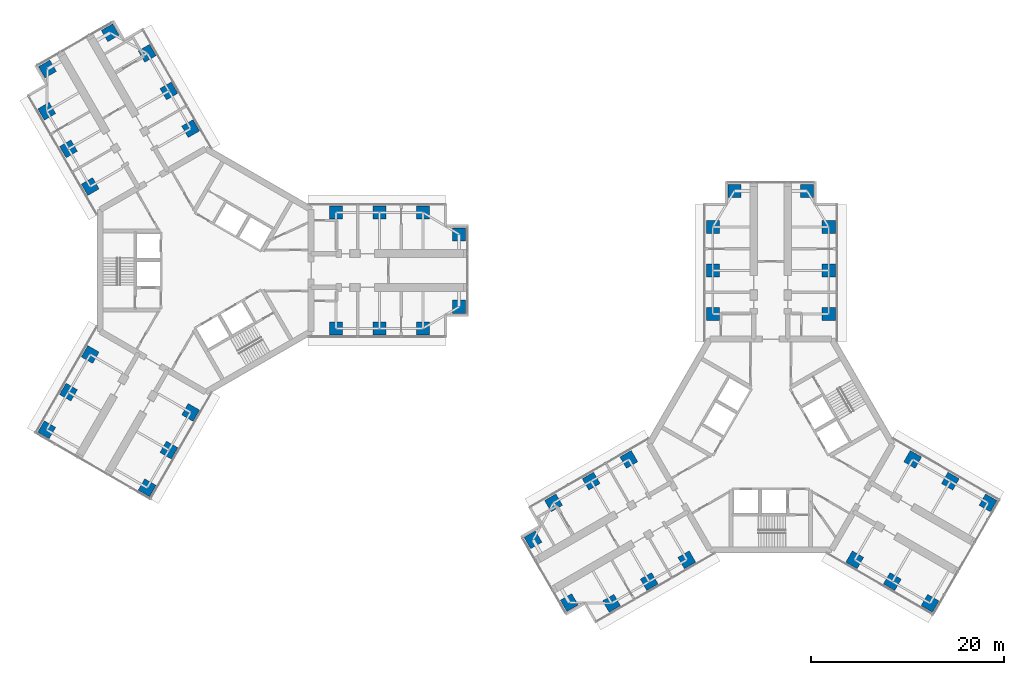
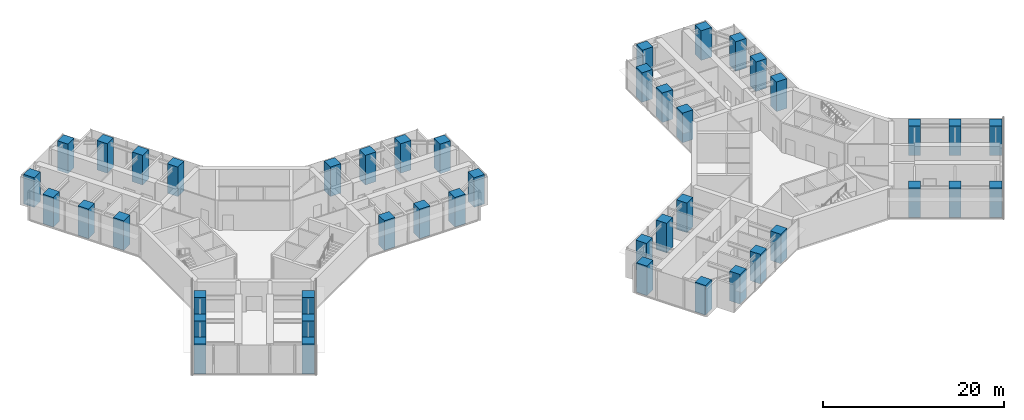
# One storey, part 1 of 21: 44 columns.
"""IFC4 building model written with IfcOpenShell, lengths in metres."""

import ifcopenshell
import ifcopenshell.guid

model = None  # the IFC model being written
_history = None  # IfcOwnerHistory: only IFC2X3 demands one
_inside = {}  # id of a spatial element -> (the spatial element, [elements in it])
_under = {}  # id of a project, library or spatial element -> (it, [spatial elements below it])
_declared = {}  # id of a project -> (the project, [libraries it declares])
_typed = {}  # id of a type object -> (the type object, [elements of that type])
_made_of = {}  # id of a material, layer set ... -> (it, [elements and type objects made of it])


def new_model(schema):
    """Start an empty IFC model of exactly this schema.

    Asked for "IFC4X3", IfcOpenShell would pick the latest addendum, in which some entities
    have other attributes; the version numbers below select the first issue.
    IFC2X3 requires an IfcOwnerHistory on every rooted entity: one is made here for all.
    """
    global model, _history
    if schema == "IFC4X3":
        model = ifcopenshell.file(schema_version=(4, 3, 0, 0))
    else:
        model = ifcopenshell.file(schema=schema)
    _inside.clear()
    _under.clear()
    _declared.clear()
    _typed.clear()
    _made_of.clear()
    _history = None
    if model.schema == "IFC2X3":
        org = make("IfcOrganization", Name="unknown")
        user = make(
            "IfcPersonAndOrganization",
            ThePerson=make("IfcPerson", FamilyName="unknown"),
            TheOrganization=org,
        )
        app = make(
            "IfcApplication",
            ApplicationDeveloper=org,
            Version="unknown",
            ApplicationFullName="unknown",
            ApplicationIdentifier="unknown",
        )
        _history = make(
            "IfcOwnerHistory",
            OwningUser=user,
            OwningApplication=app,
            ChangeAction="ADDED",
            CreationDate=0,
        )
    return model


def make(cls, **values):
    """One entity of the class cls with the attributes given. An attribute that is None is left unset."""
    return model.create_entity(
        cls, **{name: value for name, value in values.items() if value is not None}
    )


def rooted(cls, **values):
    """An entity with a GlobalId (a new one), such as an element, a storey or a relation."""
    return make(cls, GlobalId=ifcopenshell.guid.new(), OwnerHistory=_history, **values)


def si_unit(unit_type, name, prefix=None):
    """IfcSIUnit, for example si_unit("LENGTHUNIT", "METRE", prefix="MILLI")."""
    return make("IfcSIUnit", UnitType=unit_type, Prefix=prefix, Name=name)


def assignment(units):
    """IfcUnitAssignment: the units of a project."""
    return None if units is None else make("IfcUnitAssignment", Units=units)


def point(xyz):
    """IfcCartesianPoint."""
    return None if xyz is None else make("IfcCartesianPoint", Coordinates=xyz)


def direction(xyz):
    """IfcDirection."""
    return None if xyz is None else make("IfcDirection", DirectionRatios=xyz)


def frame(location, z_axis=None, x_axis=None):
    """IfcAxis2Placement3D, a coordinate frame: its origin and axes. An axis left out is left unset."""
    return make(
        "IfcAxis2Placement3D",
        Location=point(location),
        Axis=direction(z_axis),
        RefDirection=direction(x_axis),
    )


def frame_2d(location, x_axis=None):
    """IfcAxis2Placement2D, a coordinate frame in the plane: its origin and x axis."""
    return make(
        "IfcAxis2Placement2D", Location=point(location), RefDirection=direction(x_axis)
    )


def origin():
    """The frame at (0, 0, 0) with its axes left unset."""
    return frame((0.0, 0.0, 0.0))


def origin_2d():
    """The frame at (0, 0) in the plane with its x axis left unset."""
    return frame_2d((0.0, 0.0))


def place(relative_to, where):
    """IfcLocalPlacement: puts the frame where relative to a parent placement (None: the world)."""
    return make(
        "IfcLocalPlacement", PlacementRelTo=relative_to, RelativePlacement=where
    )


def context(
    kind, dimensions, precision=None, world=None, true_north=None, identifier=None
):
    """IfcGeometricRepresentationContext, for example the 3D "Model" context."""
    return make(
        "IfcGeometricRepresentationContext",
        ContextIdentifier=identifier,
        ContextType=kind,
        CoordinateSpaceDimension=dimensions,
        Precision=precision,
        WorldCoordinateSystem=world,
        TrueNorth=true_north,
    )


def subcontext(parent, identifier, kind, view, scale=None):
    """IfcGeometricRepresentationSubContext, for example "Body" below "Model"."""
    return make(
        "IfcGeometricRepresentationSubContext",
        ContextIdentifier=identifier,
        ContextType=kind,
        ParentContext=parent,
        TargetScale=scale,
        TargetView=view,
    )


def project(units=None, contexts=None):
    """IfcProject with its units and contexts."""
    return rooted(
        "IfcProject",
        Name="project",
        RepresentationContexts=contexts,
        UnitsInContext=assignment(units),
    )


def spatial(cls, under=None, at=None, **own):
    """A site, building, storey or space (cls), placed at a placement, below another one or the project."""
    s = rooted(cls, ObjectPlacement=at, **own)
    if under is not None:
        _under.setdefault(under.id(), (under, []))[1].append(s)
    return s


def profile(cls, at=None, kind="AREA", **sizes):
    """A parametric profile (cls). Its sizes go by their IFC names, for example OverallWidth=200.0."""
    return make(cls, ProfileType=kind, Position=at, **sizes)


def rectangle(**sizes):
    """IfcRectangleProfileDef."""
    return profile("IfcRectangleProfileDef", **sizes)


def extrude(swept, where, along, depth):
    """IfcExtrudedAreaSolid: the profile swept, set in the frame where, extruded along a direction by depth."""
    return make(
        "IfcExtrudedAreaSolid",
        SweptArea=swept,
        Position=where,
        ExtrudedDirection=direction(along),
        Depth=depth,
    )


def shape(context_of_items, identifier, shape_type, items):
    """IfcShapeRepresentation: the items that make up one representation, for example the "Body"."""
    return make(
        "IfcShapeRepresentation",
        ContextOfItems=context_of_items,
        RepresentationIdentifier=identifier,
        RepresentationType=shape_type,
        Items=items,
    )


def material(Name=None, Category=None):
    """IfcMaterial."""
    return make("IfcMaterial", Name=Name, Category=Category)


def material_profile(
    of_material, cross_section, Name=None, Category=None, Priority=None
):
    """IfcMaterialProfile: a cross section and its material."""
    return make(
        "IfcMaterialProfile",
        Name=Name,
        Material=of_material,
        Profile=cross_section,
        Priority=Priority,
        Category=Category,
    )


def profile_set(profiles, Name=None, composite=None):
    """IfcMaterialProfileSet."""
    return make(
        "IfcMaterialProfileSet",
        Name=Name,
        MaterialProfiles=profiles,
        CompositeProfile=composite,
    )


def made_of(thing, what):
    """Note that an element or type object is made of a material, layer set ...; save() writes the relation."""
    if what is not None:
        _made_of.setdefault(what.id(), (what, []))[1].append(thing)
    return thing


def type_object(cls, material=None, **own):
    """A type object (cls), such as IfcWallType, which elements share."""
    return made_of(rooted(cls, **own), material)


def element(
    cls,
    number,
    at=None,
    inside=None,
    cuts=None,
    type_object=None,
    material=None,
    context=None,
    identifier="Body",
    shape_type=None,
    held_by="IfcProductDefinitionShape",
    body=None,
    shapes=None,
    **own,
):
    """One element of the class cls, such as IfcWall. Its Tag is "e" and its number.

    at: its placement. inside: the storey or other place that contains it. cuts: it is an
    opening in that element (IfcRelVoidsElement). A single representation is given by context,
    identifier, shape_type and body (its items); several are given by shapes. held_by: the class
    of the entity that holds the representations. save() writes the other relations.
    """
    e = rooted(cls, Tag="e%d" % number, ObjectPlacement=at, **own)
    if body is not None:
        shapes = [shape(context, identifier, shape_type, body)]
    if shapes is not None:
        e.Representation = make(held_by, Representations=shapes)
    if inside is not None:
        _inside.setdefault(inside.id(), (inside, []))[1].append(e)
    if cuts is not None:
        rooted(
            "IfcRelVoidsElement", RelatingBuildingElement=cuts, RelatedOpeningElement=e
        )
    if type_object is not None:
        _typed.setdefault(type_object.id(), (type_object, []))[1].append(e)
    return made_of(e, material)


def aggregate(whole, parts):
    """IfcRelAggregates: a whole, such as a stair, and the parts it consists of."""
    return rooted("IfcRelAggregates", RelatingObject=whole, RelatedObjects=parts)


def save(model, path):
    """Write the relations noted so far, then the file.

    IfcRelAggregates (storeys below a building ...), IfcRelContainedInSpatialStructure (elements
    in a storey), IfcRelDefinesByType, IfcRelAssociatesMaterial and IfcRelDeclares: one each for
    every whole, place, type object, material and project.
    """
    for whole, parts in _under.values():
        aggregate(whole, parts)
    for where, things in _inside.values():
        rooted(
            "IfcRelContainedInSpatialStructure",
            RelatedElements=things,
            RelatingStructure=where,
        )
    for kind, things in _typed.values():
        rooted("IfcRelDefinesByType", RelatedObjects=things, RelatingType=kind)
    for what, things in _made_of.values():
        rooted("IfcRelAssociatesMaterial", RelatedObjects=things, RelatingMaterial=what)
    for by, libraries in _declared.values():
        rooted("IfcRelDeclares", RelatingContext=by, RelatedDefinitions=libraries)
    model.write(path)


model = new_model("IFC4")

# Units and contexts
model_context = context("Model", 3, precision=1e-05, world=origin(), true_north=direction((0.0, 1.0)))
body_context = subcontext(model_context, "Body", "Model", "MODEL_VIEW")
ifc_project = project(units=[si_unit("LENGTHUNIT", "METRE"), si_unit("AREAUNIT", "SQUARE_METRE"), si_unit("VOLUMEUNIT", "CUBIC_METRE"), si_unit("PLANEANGLEUNIT", "RADIAN"), si_unit("MASSUNIT", "GRAM", prefix="KILO")], contexts=[model_context])

# Site, building, storey
site_placement = place(None, origin())
site = spatial("IfcSite", under=ifc_project, at=site_placement, CompositionType="ELEMENT")
building_placement = place(site_placement, origin())
building = spatial("IfcBuilding", under=site, at=building_placement, Name="Upepo Twin Towers", CompositionType="ELEMENT")
storey_placement = place(building_placement, frame((0.0, 0.0, 117.5)))
storey = spatial("IfcBuildingStorey", under=building, at=storey_placement, Name="L28", CompositionType="ELEMENT", Elevation=117.5)

# Columns
ifc_material = material(Name="Concrete C60/75", Category="concrete")
ifc_material_profile = material_profile(ifc_material, rectangle(XDim=1.35009765625, YDim=1.35009765625, at=origin_2d()), Name="RC 1350x1350")
ifc_profile_set = profile_set([ifc_material_profile], Name="Concrete C60/75")
column_type = type_object("IfcColumnType", Name="Tower column RC 1350x1350", PredefinedType="COLUMN", material=ifc_profile_set)
for number, where, z_axis, x_axis, name in (
    (1, (13.5, 6.0, 0.0), (0.0, 0.0, 1.0), (1.0, 0.0, 0.0), "T1 column AL135"),
    (2, (13.5, -6.0, 0.0), (0.0, 0.0, 1.0), (1.0, 0.0, 0.0), "T1 column AR135"),
    (3, (18.0, 6.0, 0.0), (0.0, 0.0, 1.0), (1.0, 0.0, 0.0), "T1 column AL180"),
    (4, (18.0, -6.0, 0.0), (0.0, 0.0, 1.0), (1.0, 0.0, 0.0), "T1 column AR180"),
    (5, (22.5, 6.0, 0.0), (0.0, 0.0, 1.0), (1.0, 0.0, 0.0), "T1 column AL225"),
    (6, (22.5, -6.0, 0.0), (0.0, 0.0, 1.0), (1.0, 0.0, 0.0), "T1 column AR225"),
    (7, (26.25, 3.75, 0.0), (0.0, 0.0, 1.0), (1.0, 0.0, 0.0), "T1 column ALN"),
    (8, (26.25, -3.75, 0.0), (0.0, 0.0, 1.0), (1.0, 0.0, 0.0), "T1 column ARN"),
    (9, (-11.946044921875, 8.69140625, 0.0), (0.0, 0.0, 1.0), (0.866025403784, 0.5, 0.0), "T1 column BL135"),
    (10, (-1.553955078125, 14.69140625, 0.0), (0.0, 0.0, 1.0), (0.866025403784, 0.5, 0.0), "T1 column BR135"),
    (11, (-14.196044921875, 12.58837890625, 0.0), (0.0, 0.0, 1.0), (0.866025403784, 0.5, 0.0), "T1 column BL180"),
    (12, (-3.803955078125, 18.58837890625, 0.0), (0.0, 0.0, 1.0), (0.866025403784, 0.5, 0.0), "T1 column BR180"),
    (13, (-16.446044921875, 16.485595703125, 0.0), (0.0, 0.0, 1.0), (0.866025403784, 0.5, 0.0), "T1 column BL225"),
    (14, (-6.053955078125, 22.485595703125, 0.0), (0.0, 0.0, 1.0), (0.866025403784, 0.5, 0.0), "T1 column BR225"),
    (15, (-16.37255859375, 20.858154296875, 0.0), (0.0, 0.0, 1.0), (0.866025403784, 0.5, 0.0), "T1 column BLN"),
    (16, (-9.87744140625, 24.608154296875, 0.0), (0.0, 0.0, 1.0), (0.866025403784, 0.5, 0.0), "T1 column BRN"),
    (17, (-1.553955078125, -14.69140625, 0.0), (0.0, 0.0, 1.0), (0.5, 0.866025403784, 0.0), "T1 column CL135"),
    (18, (-11.946044921875, -8.69140625, 0.0), (0.0, 0.0, 1.0), (0.5, 0.866025403784, 0.0), "T1 column CR135"),
    (19, (-3.803955078125, -18.58837890625, 0.0), (0.0, 0.0, 1.0), (0.5, 0.866025403784, 0.0), "T1 column CL180"),
    (20, (-14.196044921875, -12.58837890625, 0.0), (0.0, 0.0, 1.0), (0.5, 0.866025403784, 0.0), "T1 column CR180"),
    (21, (-6.053955078125, -22.485595703125, 0.0), (0.0, 0.0, 1.0), (0.5, 0.866025403784, 0.0), "T1 column CL225"),
    (22, (-16.446044921875, -16.485595703125, 0.0), (0.0, 0.0, 1.0), (0.5, 0.866025403784, 0.0), "T1 column CR225"),
    (23, (52.5, -4.5, 0.0), (0.0, 0.0, 1.0), (1.0, 0.0, 0.0), "T2 column AL135"),
    (24, (64.5, -4.5, 0.0), (0.0, 0.0, 1.0), (1.0, 0.0, 0.0), "T2 column AR135"),
    (25, (52.5, 0.0, 0.0), (0.0, 0.0, 1.0), (1.0, 0.0, 0.0), "T2 column AL180"),
    (26, (64.5, 0.0, 0.0), (0.0, 0.0, 1.0), (1.0, 0.0, 0.0), "T2 column AR180"),
    (27, (52.5, 4.5, 0.0), (0.0, 0.0, 1.0), (1.0, 0.0, 0.0), "T2 column AL225"),
    (28, (64.5, 4.5, 0.0), (0.0, 0.0, 1.0), (1.0, 0.0, 0.0), "T2 column AR225"),
    (29, (54.75, 8.25, 0.0), (0.0, 0.0, 1.0), (1.0, 0.0, 0.0), "T2 column ALN"),
    (30, (62.25, 8.25, 0.0), (0.0, 0.0, 1.0), (1.0, 0.0, 0.0), "T2 column ARN"),
    (31, (49.80859375, -29.946044921875, 0.0), (0.0, 0.0, 1.0), (0.866025403784, 0.5, 0.0), "T2 column BL135"),
    (32, (43.80859375, -19.553955078125, 0.0), (0.0, 0.0, 1.0), (0.866025403784, 0.5, 0.0), "T2 column BR135"),
    (33, (45.91162109375, -32.196044921875, 0.0), (0.0, 0.0, 1.0), (0.866025403784, 0.5, 0.0), "T2 column BL180"),
    (34, (39.91162109375, -21.803955078125, 0.0), (0.0, 0.0, 1.0), (0.866025403784, 0.5, 0.0), "T2 column BR180"),
    (35, (42.014404296875, -34.446044921875, 0.0), (0.0, 0.0, 1.0), (0.866025403784, 0.5, 0.0), "T2 column BL225"),
    (36, (36.014404296875, -24.053955078125, 0.0), (0.0, 0.0, 1.0), (0.866025403784, 0.5, 0.0), "T2 column BR225"),
    (37, (37.641845703125, -34.37255859375, 0.0), (0.0, 0.0, 1.0), (0.866025403784, 0.5, 0.0), "T2 column BLN"),
    (38, (33.891845703125, -27.87744140625, 0.0), (0.0, 0.0, 1.0), (0.866025403784, 0.5, 0.0), "T2 column BRN"),
    (39, (73.19140625, -19.553955078125, 0.0), (0.0, 0.0, 1.0), (0.5, 0.866025403784, 0.0), "T2 column CL135"),
    (40, (67.19140625, -29.946044921875, 0.0), (0.0, 0.0, 1.0), (0.5, 0.866025403784, 0.0), "T2 column CR135"),
    (41, (77.08837890625, -21.803955078125, 0.0), (0.0, 0.0, 1.0), (0.5, 0.866025403784, 0.0), "T2 column CL180"),
    (42, (71.08837890625, -32.196044921875, 0.0), (0.0, 0.0, 1.0), (0.5, 0.866025403784, 0.0), "T2 column CR180"),
    (43, (80.985595703125, -24.053955078125, 0.0), (0.0, 0.0, 1.0), (0.5, 0.866025403784, 0.0), "T2 column CL225"),
    (44, (74.985595703125, -34.446044921875, 0.0), (0.0, 0.0, 1.0), (0.5, 0.866025403784, 0.0), "T2 column CR225"),
):
    element("IfcColumn", number, at=place(storey_placement, frame(where, z_axis=z_axis, x_axis=x_axis)), inside=storey, type_object=column_type, Name=name, PredefinedType="COLUMN", context=body_context, shape_type="SweptSolid", body=[
        extrude(rectangle(XDim=1.35009765625, YDim=1.35009765625, at=origin_2d()), origin(), (0.0, 0.0, 1.0), 4.0),
    ])

save(model, "model.ifc")
